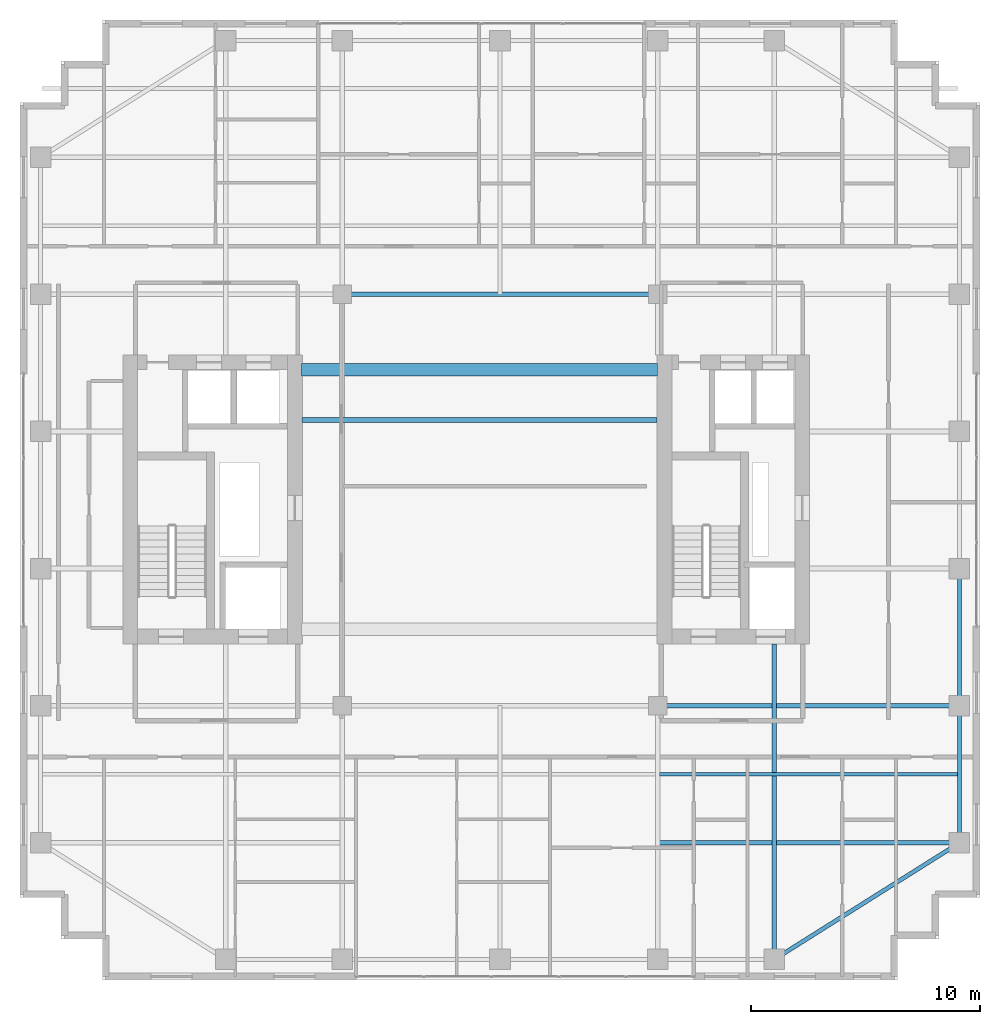
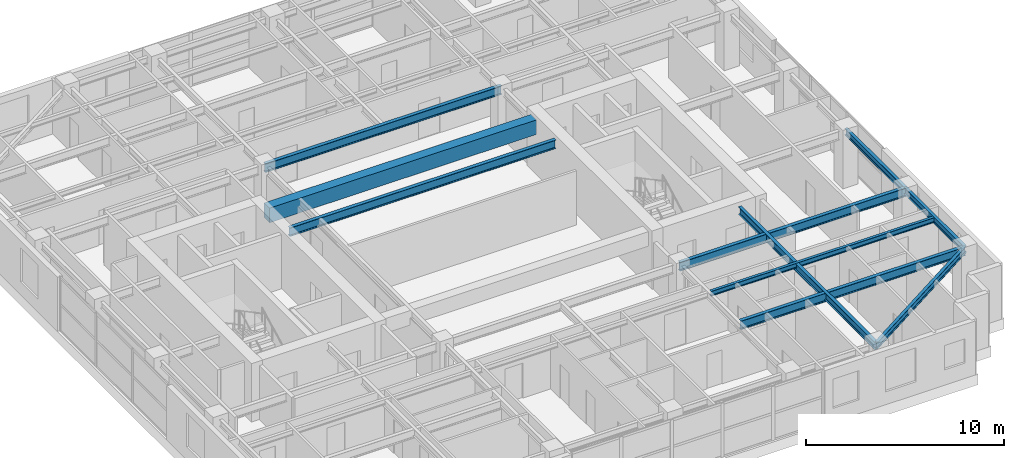
# One storey, part 11 of 24: 10 beams.
"""IFC4 building model written with IfcOpenShell, lengths in metres."""

from ifc_helpers import new_model, si_unit, direction, frame, origin, origin_2d, place, context, subcontext, project, spatial, rectangle, i_section, extrude, source, transform, mapped, material, material_profile, profile_set, type_object, element, save


model = new_model("IFC4")

# Units and contexts
model_context = context("Model", 3, precision=1e-05, world=origin(), true_north=direction((0.0, 1.0)))
body_context = subcontext(model_context, "Body", "Model", "MODEL_VIEW")
ifc_project = project(units=[si_unit("LENGTHUNIT", "METRE"), si_unit("AREAUNIT", "SQUARE_METRE"), si_unit("VOLUMEUNIT", "CUBIC_METRE"), si_unit("PLANEANGLEUNIT", "RADIAN"), si_unit("MASSUNIT", "GRAM", prefix="KILO")], contexts=[model_context])

# Site, building, storey
site_placement = place(None, origin())
site = spatial("IfcSite", under=ifc_project, at=site_placement, CompositionType="ELEMENT")
building_placement = place(site_placement, origin())
building = spatial("IfcBuilding", under=site, at=building_placement, Name="Khoralis Quay Care Tower", CompositionType="ELEMENT")
storey_placement = place(building_placement, frame((0.0, 0.0, 155.699951171875)))
storey = spatial("IfcBuildingStorey", under=building, at=storey_placement, Name="L40", CompositionType="ELEMENT", Elevation=155.699951171875)

# Beams
ifc_material_1 = material(Name="Concrete C65/80", Category="concrete")
ifc_material_profile_1 = material_profile(ifc_material_1, rectangle(XDim=0.550048828125, YDim=0.89990234375, at=origin_2d()), Name="Concrete C65/80")
ifc_profile_set_1 = profile_set([ifc_material_profile_1], Name="Concrete C65/80")
beam_type_1 = type_object("IfcBeamType", Name="CB-RC550X900", PredefinedType="LINTEL", material=ifc_profile_set_1)
shared_shape_1 = source(origin(), body_context, "Body", "SweptSolid", [
    extrude(rectangle(XDim=0.550048828125, YDim=0.89990234375, at=origin_2d()), origin(), (0.0, 0.0, 1.0), 15.579833984375),
])
beam_1_placement = place(storey_placement, frame((15.320068359375, 26.699951171875, 2.89013671875), z_axis=(1.0, 0.0, 0.0), x_axis=(0.0, 1.0, 0.0)))
element("IfcBeam", 1, at=beam_1_placement, inside=storey, type_object=beam_type_1, Name="L40 North Core Coupling Lintel", PredefinedType="LINTEL", context=body_context, shape_type="MappedRepresentation", body=[
    mapped(shared_shape_1, transform((0.0, 0.0, 0.0), scale=1.0)),
])
ifc_material_2 = material(Name="Steel S355", Category="steel")
ifc_material_profile_2 = material_profile(ifc_material_2, i_section(OverallWidth=0.179931640625, OverallDepth=0.39990234375, WebThickness=0.008544921875, FlangeThickness=0.013427734375, FilletRadius=0.02099609375, at=origin_2d()), Name="Steel S355")
ifc_profile_set_2 = profile_set([ifc_material_profile_2], Name="Steel S355")
beam_type_2 = type_object("IfcBeamType", Name="BM-IPE400", PredefinedType="SPANDREL", material=ifc_profile_set_2)
shared_shape_2 = source(origin(), body_context, "Body", "SweptSolid", [
    extrude(i_section(OverallWidth=0.179931640625, OverallDepth=0.39990234375, WebThickness=0.008544921875, FlangeThickness=0.013427734375, FilletRadius=0.02099609375, at=origin_2d()), origin(), (0.0, 0.0, 1.0), 6.0),
])
for number, where, z_axis, x_axis, name in (
    (2, (44.10009765625, 6.0, 3.14013671875), (0.0, 1.0, 0.0), (-1.0, 0.0, 0.0), "BM-TSP-L40-14"),
    (3, (44.10009765625, 12.0, 3.14013671875), (0.0, 1.0, 0.0), (-1.0, 0.0, 0.0), "BM-TSP-L40-15"),
):
    element("IfcBeam", number, at=place(storey_placement, frame(where, z_axis=z_axis, x_axis=x_axis)), inside=storey, type_object=beam_type_2, Name=name, PredefinedType="SPANDREL", context=body_context, shape_type="MappedRepresentation", body=[
        mapped(shared_shape_2, transform((0.0, 0.0, 0.0), scale=1.0)),
    ])
shared_shape_3 = source(origin(), body_context, "Body", "SweptSolid", [
    extrude(i_section(OverallWidth=0.179931640625, OverallDepth=0.39990234375, WebThickness=0.008544921875, FlangeThickness=0.013427734375, FilletRadius=0.02099609375, at=origin_2d()), origin(), (0.0, 0.0, 1.0), 9.572021484375),
])
beam_2_placement = place(storey_placement, frame((36.0, 0.89990234375, 3.14013671875), z_axis=(0.846231136359, 0.532815975602, 0.0), x_axis=(-0.532815975602, 0.846231136359, 0.0)))
element("IfcBeam", 4, at=beam_2_placement, inside=storey, type_object=beam_type_2, Name="BM-TCR-L40-20", PredefinedType="SPANDREL", context=body_context, shape_type="MappedRepresentation", body=[
    mapped(shared_shape_3, transform((0.0, 0.0, 0.0), scale=1.0)),
])
ifc_material_profile_3 = material_profile(ifc_material_2, i_section(OverallWidth=0.208984375, OverallDepth=0.532958984375, WebThickness=0.01025390625, FlangeThickness=0.015625, FilletRadius=0.01611328125, at=origin_2d()), Name="Steel S355")
ifc_profile_set_3 = profile_set([ifc_material_profile_3], Name="Steel S355")
beam_type_3 = type_object("IfcBeamType", Name="BM-W530X92", PredefinedType="BEAM", material=ifc_profile_set_3)
shared_shape_4 = source(origin(), body_context, "Body", "SweptSolid", [
    extrude(i_section(OverallWidth=0.208984375, OverallDepth=0.532958984375, WebThickness=0.01025390625, FlangeThickness=0.015625, FilletRadius=0.01611328125, at=origin_2d()), origin(), (0.0, 0.0, 1.0), 13.1162109375),
])
beam_3_placement = place(storey_placement, frame((30.98388671875, 6.0, 3.073486328125), z_axis=(1.0, 0.0, 0.0), x_axis=(0.0, 1.0, 0.0)))
element("IfcBeam", 5, at=beam_3_placement, inside=storey, type_object=beam_type_3, Name="BM-TGXE-L40-60", PredefinedType="BEAM", context=body_context, shape_type="MappedRepresentation", body=[
    mapped(shared_shape_4, transform((0.0, 0.0, 0.0), scale=1.0)),
])
shared_shape_5 = source(origin(), body_context, "Body", "SweptSolid", [
    extrude(i_section(OverallWidth=0.208984375, OverallDepth=0.532958984375, WebThickness=0.01025390625, FlangeThickness=0.015625, FilletRadius=0.01611328125, at=origin_2d()), origin(), (0.0, 0.0, 1.0), 13.2001953125),
])
beam_4_placement = place(storey_placement, frame((30.89990234375, 12.0, 3.073486328125), z_axis=(1.0, 0.0, 0.0), x_axis=(0.0, 1.0, 0.0)))
element("IfcBeam", 6, at=beam_4_placement, inside=storey, type_object=beam_type_3, Name="BM-TGXE-L40-120", PredefinedType="BEAM", context=body_context, shape_type="MappedRepresentation", body=[
    mapped(shared_shape_5, transform((0.0, 0.0, 0.0), scale=1.0)),
])
shared_shape_6 = source(origin(), body_context, "Body", "SweptSolid", [
    extrude(i_section(OverallWidth=0.208984375, OverallDepth=0.532958984375, WebThickness=0.01025390625, FlangeThickness=0.015625, FilletRadius=0.01611328125, at=origin_2d()), origin(), (0.0, 0.0, 1.0), 13.7998046875),
])
beam_5_placement = place(storey_placement, frame((17.10009765625, 30.0, 3.073486328125), z_axis=(1.0, 0.0, 0.0), x_axis=(0.0, 1.0, 0.0)))
element("IfcBeam", 7, at=beam_5_placement, inside=storey, type_object=beam_type_3, Name="BM-TGCC-L40-300", PredefinedType="BEAM", context=body_context, shape_type="MappedRepresentation", body=[
    mapped(shared_shape_6, transform((0.0, 0.0, 0.0), scale=1.0)),
])
shared_shape_7 = source(origin(), body_context, "Body", "SweptSolid", [
    extrude(i_section(OverallWidth=0.208984375, OverallDepth=0.532958984375, WebThickness=0.01025390625, FlangeThickness=0.015625, FilletRadius=0.01611328125, at=origin_2d()), origin(), (0.0, 0.0, 1.0), 15.524169921875),
])
beam_6_placement = place(storey_placement, frame((15.347900390625, 24.5, 3.073486328125), z_axis=(1.0, 0.0, 0.0), x_axis=(0.0, 1.0, 0.0)))
element("IfcBeam", 8, at=beam_6_placement, inside=storey, type_object=beam_type_3, Name="BM-TGCC-L40-245", PredefinedType="BEAM", context=body_context, shape_type="MappedRepresentation", body=[
    mapped(shared_shape_7, transform((0.0, 0.0, 0.0), scale=1.0)),
])
ifc_material_profile_4 = material_profile(ifc_material_2, i_section(OverallWidth=0.19189453125, OverallDepth=0.462890625, WebThickness=0.010498046875, FlangeThickness=0.017578125, FilletRadius=0.014892578125, at=origin_2d()), Name="Steel S355")
ifc_profile_set_4 = profile_set([ifc_material_profile_4], Name="Steel S355")
beam_type_4 = type_object("IfcBeamType", Name="BM-W460X89", PredefinedType="BEAM", material=ifc_profile_set_4)
shared_shape_8 = source(origin(), body_context, "Body", "SweptSolid", [
    extrude(i_section(OverallWidth=0.19189453125, OverallDepth=0.462890625, WebThickness=0.010498046875, FlangeThickness=0.017578125, FilletRadius=0.014892578125, at=origin_2d()), origin(), (0.0, 0.0, 1.0), 13.802001953125),
])
beam_7_placement = place(storey_placement, frame((36.0, 0.89990234375, 3.108642578125), z_axis=(0.0, 1.0, 0.0), x_axis=(-1.0, 0.0, 0.0)))
element("IfcBeam", 9, at=beam_7_placement, inside=storey, type_object=beam_type_4, Name="BM-TGYS-L40-360", PredefinedType="BEAM", context=body_context, shape_type="MappedRepresentation", body=[
    mapped(shared_shape_8, transform((0.0, 0.0, 0.0), scale=1.0)),
])
ifc_material_profile_5 = material_profile(ifc_material_2, i_section(OverallWidth=0.1650390625, OverallDepth=0.31005859375, WebThickness=0.005859375, FlangeThickness=0.009765625, FilletRadius=0.011962890625, at=origin_2d()), Name="Steel S355")
ifc_profile_set_5 = profile_set([ifc_material_profile_5], Name="Steel S355")
beam_type_5 = type_object("IfcBeamType", Name="BM-W310X39", PredefinedType="JOIST", material=ifc_profile_set_5)
shared_shape_9 = source(origin(), body_context, "Body", "SweptSolid", [
    extrude(i_section(OverallWidth=0.1650390625, OverallDepth=0.31005859375, WebThickness=0.005859375, FlangeThickness=0.009765625, FilletRadius=0.011962890625, at=origin_2d()), origin(), (0.0, 0.0, 1.0), 13.0400390625),
])
beam_8_placement = place(storey_placement, frame((30.98388671875, 9.0, 3.18505859375), z_axis=(1.0, 0.0, 0.0), x_axis=(0.0, 1.0, 0.0)))
element("IfcBeam", 10, at=beam_8_placement, inside=storey, type_object=beam_type_5, Name="BM-TJS-L40-24", PredefinedType="JOIST", context=body_context, shape_type="MappedRepresentation", body=[
    mapped(shared_shape_9, transform((0.0, 0.0, 0.0), scale=1.0)),
])

save(model, "model.ifc")
